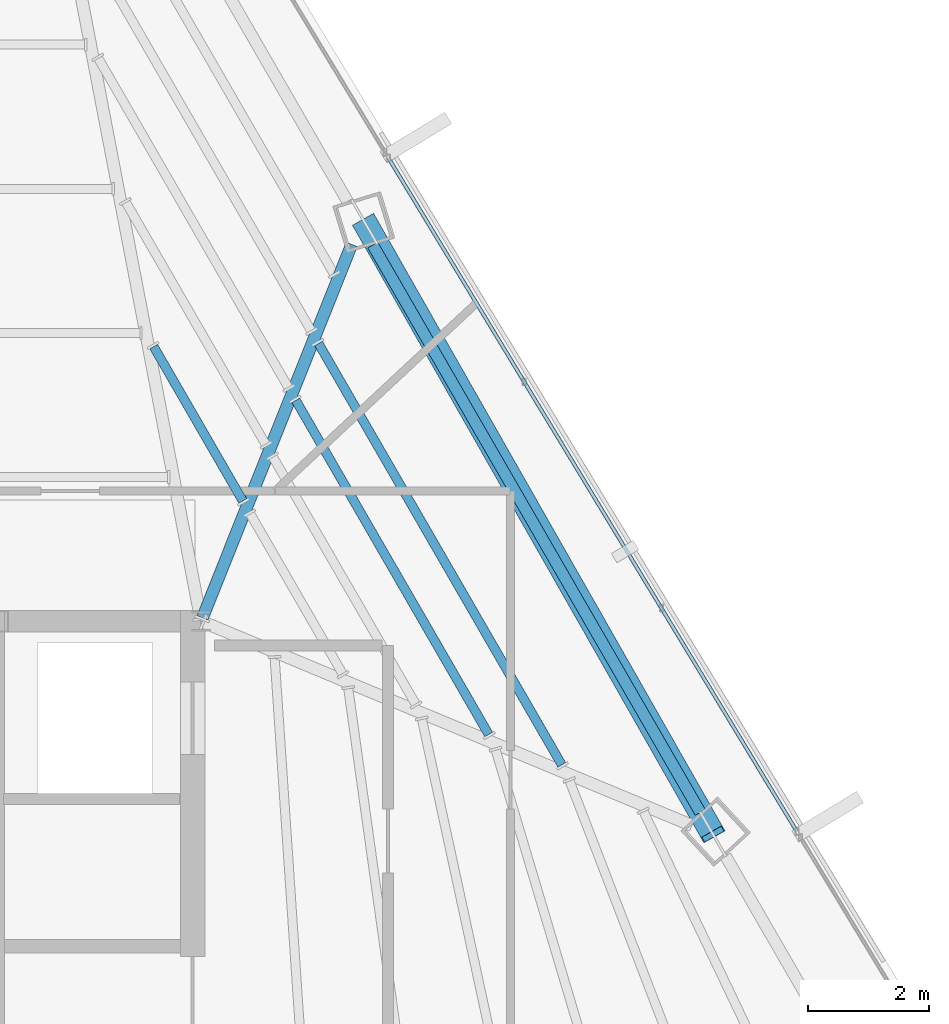
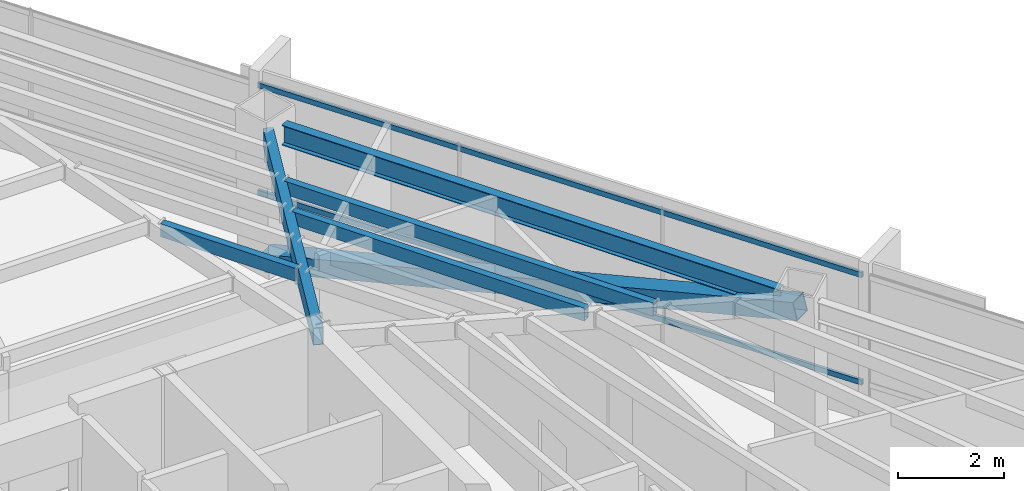
# One storey, part 29 of 49: 5 beams, 3 members, 1 element without a shape of its own.
"""IFC4 building model written with IfcOpenShell, lengths in metres."""

import ifcopenshell
import ifcopenshell.guid

model = None  # the IFC model being written
_history = None  # IfcOwnerHistory: only IFC2X3 demands one
_inside = {}  # id of a spatial element -> (the spatial element, [elements in it])
_under = {}  # id of a project, library or spatial element -> (it, [spatial elements below it])
_declared = {}  # id of a project -> (the project, [libraries it declares])
_typed = {}  # id of a type object -> (the type object, [elements of that type])
_made_of = {}  # id of a material, layer set ... -> (it, [elements and type objects made of it])


def new_model(schema):
    """Start an empty IFC model of exactly this schema.

    Asked for "IFC4X3", IfcOpenShell would pick the latest addendum, in which some entities
    have other attributes; the version numbers below select the first issue.
    IFC2X3 requires an IfcOwnerHistory on every rooted entity: one is made here for all.
    """
    global model, _history
    if schema == "IFC4X3":
        model = ifcopenshell.file(schema_version=(4, 3, 0, 0))
    else:
        model = ifcopenshell.file(schema=schema)
    _inside.clear()
    _under.clear()
    _declared.clear()
    _typed.clear()
    _made_of.clear()
    _history = None
    if model.schema == "IFC2X3":
        org = make("IfcOrganization", Name="unknown")
        user = make(
            "IfcPersonAndOrganization",
            ThePerson=make("IfcPerson", FamilyName="unknown"),
            TheOrganization=org,
        )
        app = make(
            "IfcApplication",
            ApplicationDeveloper=org,
            Version="unknown",
            ApplicationFullName="unknown",
            ApplicationIdentifier="unknown",
        )
        _history = make(
            "IfcOwnerHistory",
            OwningUser=user,
            OwningApplication=app,
            ChangeAction="ADDED",
            CreationDate=0,
        )
    return model


def make(cls, **values):
    """One entity of the class cls with the attributes given. An attribute that is None is left unset."""
    return model.create_entity(
        cls, **{name: value for name, value in values.items() if value is not None}
    )


def rooted(cls, **values):
    """An entity with a GlobalId (a new one), such as an element, a storey or a relation."""
    return make(cls, GlobalId=ifcopenshell.guid.new(), OwnerHistory=_history, **values)


def si_unit(unit_type, name, prefix=None):
    """IfcSIUnit, for example si_unit("LENGTHUNIT", "METRE", prefix="MILLI")."""
    return make("IfcSIUnit", UnitType=unit_type, Prefix=prefix, Name=name)


def assignment(units):
    """IfcUnitAssignment: the units of a project."""
    return None if units is None else make("IfcUnitAssignment", Units=units)


def point(xyz):
    """IfcCartesianPoint."""
    return None if xyz is None else make("IfcCartesianPoint", Coordinates=xyz)


def direction(xyz):
    """IfcDirection."""
    return None if xyz is None else make("IfcDirection", DirectionRatios=xyz)


def frame(location, z_axis=None, x_axis=None):
    """IfcAxis2Placement3D, a coordinate frame: its origin and axes. An axis left out is left unset."""
    return make(
        "IfcAxis2Placement3D",
        Location=point(location),
        Axis=direction(z_axis),
        RefDirection=direction(x_axis),
    )


def frame_2d(location, x_axis=None):
    """IfcAxis2Placement2D, a coordinate frame in the plane: its origin and x axis."""
    return make(
        "IfcAxis2Placement2D", Location=point(location), RefDirection=direction(x_axis)
    )


def origin():
    """The frame at (0, 0, 0) with its axes left unset."""
    return frame((0.0, 0.0, 0.0))


def origin_2d():
    """The frame at (0, 0) in the plane with its x axis left unset."""
    return frame_2d((0.0, 0.0))


def place(relative_to, where):
    """IfcLocalPlacement: puts the frame where relative to a parent placement (None: the world)."""
    return make(
        "IfcLocalPlacement", PlacementRelTo=relative_to, RelativePlacement=where
    )


def context(
    kind, dimensions, precision=None, world=None, true_north=None, identifier=None
):
    """IfcGeometricRepresentationContext, for example the 3D "Model" context."""
    return make(
        "IfcGeometricRepresentationContext",
        ContextIdentifier=identifier,
        ContextType=kind,
        CoordinateSpaceDimension=dimensions,
        Precision=precision,
        WorldCoordinateSystem=world,
        TrueNorth=true_north,
    )


def subcontext(parent, identifier, kind, view, scale=None):
    """IfcGeometricRepresentationSubContext, for example "Body" below "Model"."""
    return make(
        "IfcGeometricRepresentationSubContext",
        ContextIdentifier=identifier,
        ContextType=kind,
        ParentContext=parent,
        TargetScale=scale,
        TargetView=view,
    )


def project(units=None, contexts=None):
    """IfcProject with its units and contexts."""
    return rooted(
        "IfcProject",
        Name="project",
        RepresentationContexts=contexts,
        UnitsInContext=assignment(units),
    )


def spatial(cls, under=None, at=None, **own):
    """A site, building, storey or space (cls), placed at a placement, below another one or the project."""
    s = rooted(cls, ObjectPlacement=at, **own)
    if under is not None:
        _under.setdefault(under.id(), (under, []))[1].append(s)
    return s


def profile(cls, at=None, kind="AREA", **sizes):
    """A parametric profile (cls). Its sizes go by their IFC names, for example OverallWidth=200.0."""
    return make(cls, ProfileType=kind, Position=at, **sizes)


def hollow_rectangle(**sizes):
    """IfcRectangleHollowProfileDef."""
    return profile("IfcRectangleHollowProfileDef", **sizes)


def i_section(**sizes):
    """IfcIShapeProfileDef."""
    return profile("IfcIShapeProfileDef", **sizes)


def extrude(swept, where, along, depth):
    """IfcExtrudedAreaSolid: the profile swept, set in the frame where, extruded along a direction by depth."""
    return make(
        "IfcExtrudedAreaSolid",
        SweptArea=swept,
        Position=where,
        ExtrudedDirection=direction(along),
        Depth=depth,
    )


def shape(context_of_items, identifier, shape_type, items):
    """IfcShapeRepresentation: the items that make up one representation, for example the "Body"."""
    return make(
        "IfcShapeRepresentation",
        ContextOfItems=context_of_items,
        RepresentationIdentifier=identifier,
        RepresentationType=shape_type,
        Items=items,
    )


def source(mapping_origin, context_of_items, identifier, shape_type, items):
    """IfcRepresentationMap: a shape defined once, which mapped items show again and again."""
    return make(
        "IfcRepresentationMap",
        MappingOrigin=mapping_origin,
        MappedRepresentation=shape(context_of_items, identifier, shape_type, items),
    )


def transform(
    local_origin,
    x_axis=None,
    y_axis=None,
    z_axis=None,
    scale=None,
    scale2=None,
    scale3=None,
    uniform=True,
):
    """IfcCartesianTransformationOperator3D, or its non-uniform kind. x_axis, y_axis, z_axis: its Axis1, 2, 3."""
    if uniform:
        return make(
            "IfcCartesianTransformationOperator3D",
            Axis1=direction(x_axis),
            Axis2=direction(y_axis),
            LocalOrigin=point(local_origin),
            Scale=scale,
            Axis3=direction(z_axis),
        )
    return make(
        "IfcCartesianTransformationOperator3DnonUniform",
        Axis1=direction(x_axis),
        Axis2=direction(y_axis),
        LocalOrigin=point(local_origin),
        Scale=scale,
        Axis3=direction(z_axis),
        Scale2=scale2,
        Scale3=scale3,
    )


def mapped(mapping_source, mapping_target):
    """IfcMappedItem: shows the shape of a source again, moved by a transform."""
    return make(
        "IfcMappedItem", MappingSource=mapping_source, MappingTarget=mapping_target
    )


def material(Name=None, Category=None):
    """IfcMaterial."""
    return make("IfcMaterial", Name=Name, Category=Category)


def material_profile(
    of_material, cross_section, Name=None, Category=None, Priority=None
):
    """IfcMaterialProfile: a cross section and its material."""
    return make(
        "IfcMaterialProfile",
        Name=Name,
        Material=of_material,
        Profile=cross_section,
        Priority=Priority,
        Category=Category,
    )


def profile_set(profiles, Name=None, composite=None):
    """IfcMaterialProfileSet."""
    return make(
        "IfcMaterialProfileSet",
        Name=Name,
        MaterialProfiles=profiles,
        CompositeProfile=composite,
    )


def made_of(thing, what):
    """Note that an element or type object is made of a material, layer set ...; save() writes the relation."""
    if what is not None:
        _made_of.setdefault(what.id(), (what, []))[1].append(thing)
    return thing


def type_object(cls, material=None, **own):
    """A type object (cls), such as IfcWallType, which elements share."""
    return made_of(rooted(cls, **own), material)


def type_shapes(of_type, sources):
    """Give a type object the sources (RepresentationMaps) that its elements show as mapped items."""
    of_type.RepresentationMaps = sources


def element(
    cls,
    number,
    at=None,
    inside=None,
    cuts=None,
    type_object=None,
    material=None,
    context=None,
    identifier="Body",
    shape_type=None,
    held_by="IfcProductDefinitionShape",
    body=None,
    shapes=None,
    **own,
):
    """One element of the class cls, such as IfcWall. Its Tag is "e" and its number.

    at: its placement. inside: the storey or other place that contains it. cuts: it is an
    opening in that element (IfcRelVoidsElement). A single representation is given by context,
    identifier, shape_type and body (its items); several are given by shapes. held_by: the class
    of the entity that holds the representations. save() writes the other relations.
    """
    e = rooted(cls, Tag="e%d" % number, ObjectPlacement=at, **own)
    if body is not None:
        shapes = [shape(context, identifier, shape_type, body)]
    if shapes is not None:
        e.Representation = make(held_by, Representations=shapes)
    if inside is not None:
        _inside.setdefault(inside.id(), (inside, []))[1].append(e)
    if cuts is not None:
        rooted(
            "IfcRelVoidsElement", RelatingBuildingElement=cuts, RelatedOpeningElement=e
        )
    if type_object is not None:
        _typed.setdefault(type_object.id(), (type_object, []))[1].append(e)
    return made_of(e, material)


def aggregate(whole, parts):
    """IfcRelAggregates: a whole, such as a stair, and the parts it consists of."""
    return rooted("IfcRelAggregates", RelatingObject=whole, RelatedObjects=parts)


def save(model, path):
    """Write the relations noted so far, then the file.

    IfcRelAggregates (storeys below a building ...), IfcRelContainedInSpatialStructure (elements
    in a storey), IfcRelDefinesByType, IfcRelAssociatesMaterial and IfcRelDeclares: one each for
    every whole, place, type object, material and project.
    """
    for whole, parts in _under.values():
        aggregate(whole, parts)
    for where, things in _inside.values():
        rooted(
            "IfcRelContainedInSpatialStructure",
            RelatedElements=things,
            RelatingStructure=where,
        )
    for kind, things in _typed.values():
        rooted("IfcRelDefinesByType", RelatedObjects=things, RelatingType=kind)
    for what, things in _made_of.values():
        rooted("IfcRelAssociatesMaterial", RelatedObjects=things, RelatingMaterial=what)
    for by, libraries in _declared.values():
        rooted("IfcRelDeclares", RelatingContext=by, RelatedDefinitions=libraries)
    model.write(path)


model = new_model("IFC4")

# Units and contexts
model_context = context("Model", 3, precision=1e-05, world=origin(), true_north=direction((0.0, 1.0)))
body_context = subcontext(model_context, "Body", "Model", "MODEL_VIEW")
ifc_project = project(units=[si_unit("LENGTHUNIT", "METRE"), si_unit("AREAUNIT", "SQUARE_METRE"), si_unit("VOLUMEUNIT", "CUBIC_METRE"), si_unit("PLANEANGLEUNIT", "RADIAN"), si_unit("MASSUNIT", "GRAM", prefix="KILO")], contexts=[model_context])

# Site, building, storey
site_placement = place(None, origin())
site = spatial("IfcSite", under=ifc_project, at=site_placement, CompositionType="ELEMENT")
building_placement = place(site_placement, origin())
building = spatial("IfcBuilding", under=site, at=building_placement, Name="Caelisora Broadcast Tower", CompositionType="ELEMENT")
storey_placement = place(building_placement, frame((0.0, 0.0, 233.5)))
storey = spatial("IfcBuildingStorey", under=building, at=storey_placement, Name="L61", CompositionType="ELEMENT", Elevation=233.5)

# Beams
ifc_material_1 = material(Name="Steel Grade 350 (AS/NZS 3679.1)", Category="steel")
ifc_material_profile_1 = material_profile(ifc_material_1, i_section(OverallWidth=0.19091796875, OverallDepth=0.46044921875, WebThickness=0.010009765625, FlangeThickness=0.01611328125, at=origin_2d()), Name="Steel Grade 350 (AS/NZS 3679.1)")
ifc_profile_set_1 = profile_set([ifc_material_profile_1], Name="Steel Grade 350 (AS/NZS 3679.1)")
beam_type_1 = type_object("IfcBeamType", Name="PG06", PredefinedType="BEAM", material=ifc_profile_set_1)
shared_shape_1 = source(origin(), body_context, "Body", "SweptSolid", [
    extrude(i_section(OverallWidth=0.19091796875, OverallDepth=0.46044921875, WebThickness=0.010009765625, FlangeThickness=0.01611328125, at=origin_2d()), origin(), (0.0, 0.0, 1.0), 10.804443359375),
])
type_shapes(beam_type_1, [shared_shape_1])
beam_1_placement = place(storey_placement, frame((53.734130859375, 26.84619140625, 3.169921875), z_axis=(-0.499991078618, 0.866030554486, 0.0), x_axis=(-0.866030554486, -0.499991078618, 0.0)))
element("IfcBeam", 1, at=beam_1_placement, inside=storey, type_object=beam_type_1, Name="L61 beam PG06", PredefinedType="BEAM", context=body_context, shape_type="MappedRepresentation", body=[
    mapped(shared_shape_1, transform((0.0, 0.0, 0.0), scale=1.0)),
])
ifc_material_2 = material(Name="Steel Grade 350 (AS/NZS 1163 C350L0)", Category="steel")
ifc_material_profile_2 = material_profile(ifc_material_2, hollow_rectangle(XDim=0.199951171875, YDim=0.39990234375, WallThickness=0.012451171875, at=origin_2d()), Name="Steel Grade 350 (AS/NZS 1163 C350L0)")
ifc_profile_set_2 = profile_set([ifc_material_profile_2], Name="Steel Grade 350 (AS/NZS 1163 C350L0)")
beam_type_2 = type_object("IfcBeamType", Name="PG07", PredefinedType="BEAM", material=ifc_profile_set_2)
shared_shape_2 = source(origin(), body_context, "Body", "SweptSolid", [
    extrude(hollow_rectangle(XDim=0.199951171875, YDim=0.39990234375, WallThickness=0.012451171875, at=origin_2d()), origin(), (0.0, 0.0, 1.0), 6.632568359375),
])
type_shapes(beam_type_2, [shared_shape_2])
beam_2_placement = place(storey_placement, frame((45.522216796875, 30.0556640625, 3.199951171875), z_axis=(0.371219317533, 0.928545216072, 0.0), x_axis=(-0.928545216072, 0.371219317533, 0.0)))
element("IfcBeam", 2, at=beam_2_placement, inside=storey, type_object=beam_type_2, Name="L61 beam PG07", PredefinedType="BEAM", context=body_context, shape_type="MappedRepresentation", body=[
    mapped(shared_shape_2, transform((0.0, 0.0, 0.0), scale=1.0)),
])
ifc_material_profile_3 = material_profile(ifc_material_2, hollow_rectangle(XDim=0.14990234375, YDim=0.300048828125, WallThickness=0.010009765625, at=origin_2d()), Name="Steel Grade 350 (AS/NZS 1163 C350L0)")
ifc_profile_set_3 = profile_set([ifc_material_profile_3], Name="Steel Grade 350 (AS/NZS 1163 C350L0)")
beam_type_3 = type_object("IfcBeamType", Name="SB05", PredefinedType="JOIST", material=ifc_profile_set_3)
shared_shape_3 = source(origin(), body_context, "Body", "SweptSolid", [
    extrude(hollow_rectangle(XDim=0.14990234375, YDim=0.300048828125, WallThickness=0.010009765625, at=origin_2d()), origin(), (0.0, 0.0, 1.0), 2.940185546875),
])
beam_3_placement = place(storey_placement, frame((46.1875, 31.98291015625, 3.25), z_axis=(-0.49995246343, 0.866052847297, 0.0), x_axis=(-0.866052847297, -0.49995246343, 0.0)))
element("IfcBeam", 3, at=beam_3_placement, inside=storey, type_object=beam_type_3, Name="L61 beam SB05", PredefinedType="JOIST", context=body_context, shape_type="MappedRepresentation", body=[
    mapped(shared_shape_3, transform((0.0, 0.0, 0.0), scale=1.0)),
])
shared_shape_4 = source(origin(), body_context, "Body", "SweptSolid", [
    extrude(hollow_rectangle(XDim=0.14990234375, YDim=0.300048828125, WallThickness=0.010009765625, at=origin_2d()), origin(), (0.0, 0.0, 1.0), 6.363525390625),
])
beam_4_placement = place(storey_placement, frame((50.243408203125, 28.1318359375, 3.25), z_axis=(-0.500013591967, 0.866017556316, 0.0), x_axis=(-0.866017556316, -0.500013591967, 0.0)))
element("IfcBeam", 4, at=beam_4_placement, inside=storey, type_object=beam_type_3, Name="L61 beam SB05", PredefinedType="JOIST", context=body_context, shape_type="MappedRepresentation", body=[
    mapped(shared_shape_4, transform((0.0, 0.0, 0.0), scale=1.0)),
])
shared_shape_5 = source(origin(), body_context, "Body", "SweptSolid", [
    extrude(hollow_rectangle(XDim=0.14990234375, YDim=0.300048828125, WallThickness=0.010009765625, at=origin_2d()), origin(), (0.0, 0.0, 1.0), 8.02587890625),
])
type_shapes(beam_type_3, [shared_shape_3, shared_shape_4, shared_shape_5])
beam_5_placement = place(storey_placement, frame((51.44921875, 27.6298828125, 3.25), z_axis=(-0.499996300355, 0.866027539765, 0.0), x_axis=(-0.866027539765, -0.499996300355, 0.0)))
element("IfcBeam", 5, at=beam_5_placement, inside=storey, type_object=beam_type_3, Name="L61 beam SB05", PredefinedType="JOIST", context=body_context, shape_type="MappedRepresentation", body=[
    mapped(shared_shape_5, transform((0.0, 0.0, 0.0), scale=1.0)),
])

# Member
ifc_material_3 = material(Name="Steel Grade 450 (AS/NZS 1163 C450L0)", Category="steel")
ifc_material_profile_4 = material_profile(ifc_material_3, hollow_rectangle(XDim=0.39990234375, YDim=0.39990234375, WallThickness=0.01611328125, at=origin_2d()), Name="Steel Grade 450 (AS/NZS 1163 C450L0)")
ifc_profile_set_4 = profile_set([ifc_material_profile_4], Name="Steel Grade 450 (AS/NZS 1163 C450L0)")
member_type_1 = type_object("IfcMemberType", Name="BR04", PredefinedType="BRACE", material=ifc_profile_set_4)
shared_shape_6 = source(origin(), body_context, "Body", "SweptSolid", [
    extrude(hollow_rectangle(XDim=0.39990234375, YDim=0.39990234375, WallThickness=0.01611328125, at=origin_2d()), origin(), (0.0, 0.0, 1.0), 12.0009765625),
])
type_shapes(member_type_1, [shared_shape_6])
member_1_placement = place(storey_placement, frame((53.942138671875, 26.486083984375, 3.10009765625), z_axis=(-0.478903179831, 0.841523679405, -0.249979281838), x_axis=(-0.86911711735, -0.494606344813, 0.0)))
element("IfcMember", 6, at=member_1_placement, inside=storey, type_object=member_type_1, Name="L61 perimeter brace BR04", PredefinedType="BRACE", context=body_context, shape_type="MappedRepresentation", body=[
    mapped(shared_shape_6, transform((0.0, 0.0, 0.0), scale=1.0)),
])

# Curtain wall, members
ifc_material_4 = material(Name="Unitised Aluminium Insulated Shadow-Box Spandrel Curtain Wall", Category="aluminium")
curtain_wall_type = type_object("IfcCurtainWallType", Name="CW-SP3", PredefinedType="NOTDEFINED", material=ifc_material_4)
curtain_wall_placement = place(storey_placement, origin())
curtain_wall = element("IfcCurtainWall", 7, at=curtain_wall_placement, inside=storey, type_object=curtain_wall_type, Name="L61 curtain wall CW-SP3", PredefinedType="NOTDEFINED")
ifc_material_5 = material(Name="Aluminium 6063-T6 Anodised Terracotta Bronze", Category="aluminium")
ifc_material_profile_5 = material_profile(ifc_material_5, hollow_rectangle(XDim=0.06005859375, YDim=0.1201171875, WallThickness=0.0029296875, at=origin_2d()), Name="Aluminium 6063-T6 Anodised Terracotta Bronze")
ifc_profile_set_5 = profile_set([ifc_material_profile_5], Name="Aluminium 6063-T6 Anodised Terracotta Bronze")
member_type_2 = type_object("IfcMemberType", Name="CWT-03", PredefinedType="USERDEFINED", material=ifc_profile_set_5)
shared_shape_7 = source(origin(), body_context, "Body", "SweptSolid", [
    extrude(hollow_rectangle(XDim=0.06005859375, YDim=0.1201171875, WallThickness=0.0029296875, at=origin_2d()), origin(), (0.0, 0.0, 1.0), 12.990966796875),
])
type_shapes(member_type_2, [shared_shape_7])
member_2_placement = place(storey_placement, frame((48.591552734375, 37.638671875, 0.85009765625), z_axis=(0.518505789222, -0.855074117573, 0.0), x_axis=(0.855074117573, 0.518505789222, 0.0)))
member_2 = element("IfcMember", 8, at=member_2_placement, type_object=member_type_2, Name="L61-CW-B02 transom #1", ObjectType="TRANSOM", PredefinedType="USERDEFINED", context=body_context, shape_type="MappedRepresentation", body=[
    mapped(shared_shape_7, transform((0.0, 0.0, 0.0), scale=1.0)),
])
member_3_placement = place(storey_placement, frame((48.591552734375, 37.638671875, 3.320068359375), z_axis=(0.518505789222, -0.855074117573, 0.0), x_axis=(0.855074117573, 0.518505789222, 0.0)))
member_3 = element("IfcMember", 9, at=member_3_placement, type_object=member_type_2, Name="L61-CW-B02 transom #2", ObjectType="TRANSOM", PredefinedType="USERDEFINED", context=body_context, shape_type="MappedRepresentation", body=[
    mapped(shared_shape_7, transform((0.0, 0.0, 0.0), scale=1.0)),
])
aggregate(curtain_wall, [member_2, member_3])

save(model, "model.ifc")
